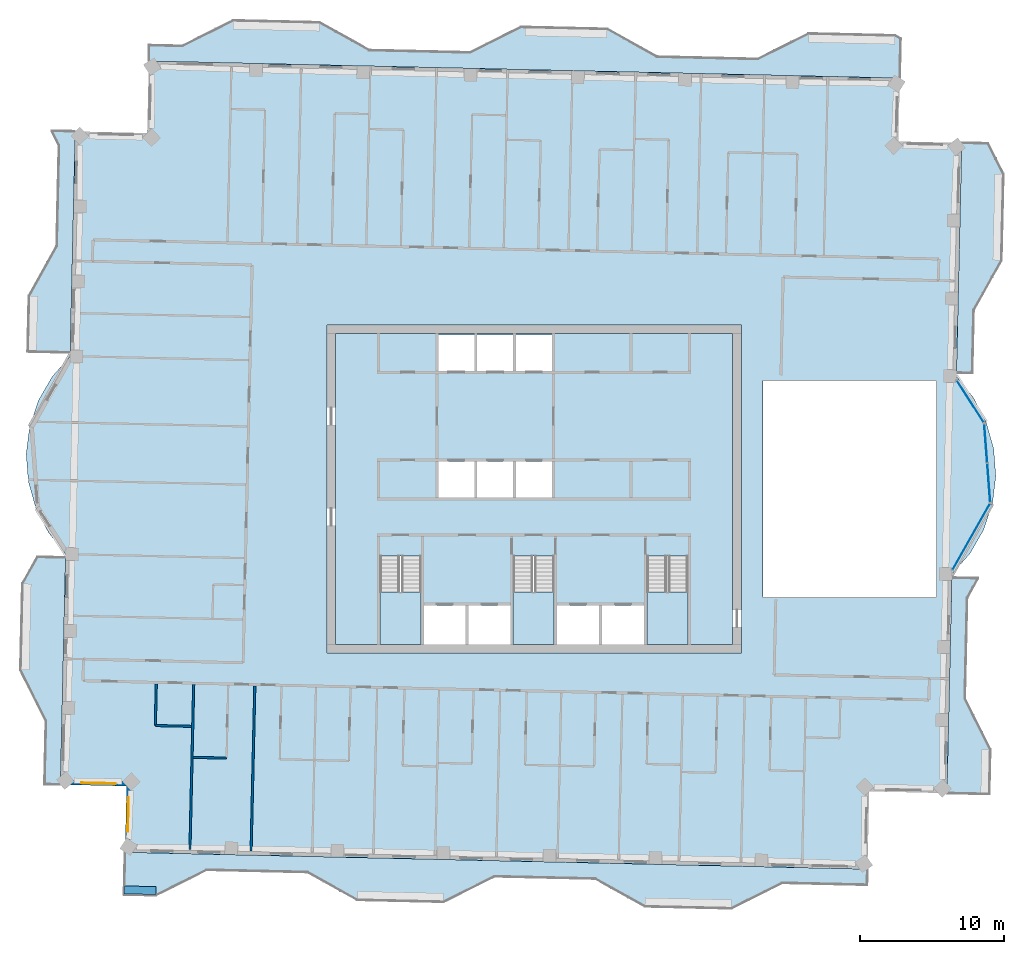
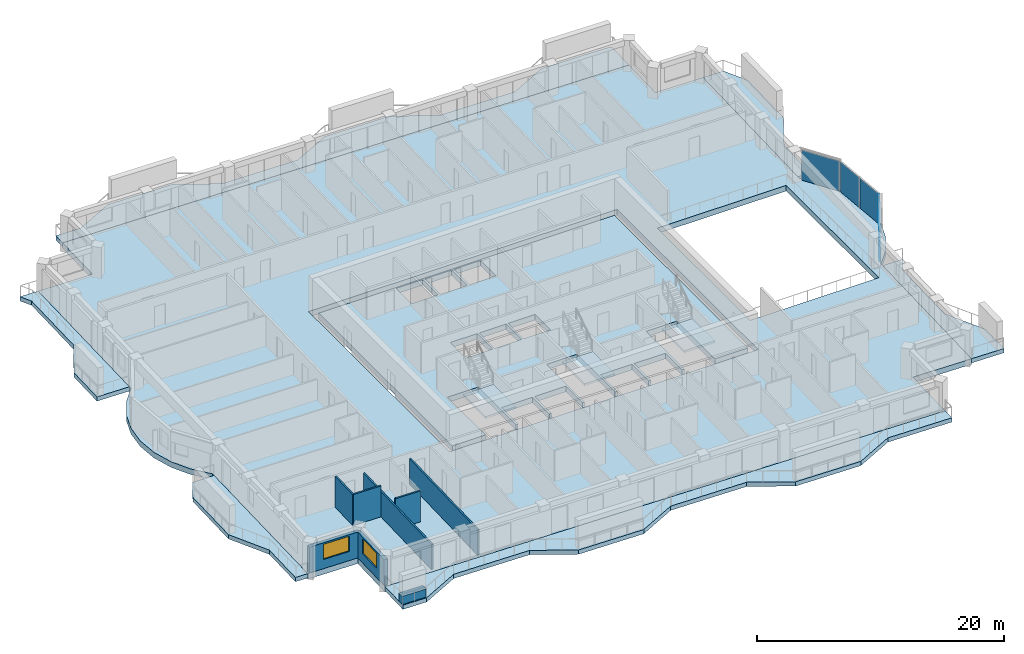
# One storey, part 3 of 15: 11 slabs, 8 walls, 4 plates, 2 windows, 2 openings, 6 elements without a shape of their own.
"""IFC4 building model written with IfcOpenShell, lengths in metres."""

from ifc_helpers import new_model, si_unit, direction, frame, frame_2d, origin, origin_2d, place, context, subcontext, project, spatial, polyline, rectangle, outline, extrude, material, layer, layer_set, type_object, element, fill, aggregate, save


model = new_model("IFC4")

# Units and contexts
model_context = context("Model", 3, precision=1e-05, world=origin(), true_north=direction((0.0, 1.0)))
body_context = subcontext(model_context, "Body", "Model", "MODEL_VIEW")
ifc_project = project(units=[si_unit("LENGTHUNIT", "METRE"), si_unit("AREAUNIT", "SQUARE_METRE"), si_unit("VOLUMEUNIT", "CUBIC_METRE"), si_unit("PLANEANGLEUNIT", "RADIAN"), si_unit("MASSUNIT", "GRAM", prefix="KILO")], contexts=[model_context])

# Site, building, storey
site_placement = place(None, origin())
site = spatial("IfcSite", under=ifc_project, at=site_placement, CompositionType="ELEMENT")
building_placement = place(site_placement, origin())
building = spatial("IfcBuilding", under=site, at=building_placement, Name="Mangrove Gate Tower", CompositionType="ELEMENT")
storey_placement = place(building_placement, frame((0.0, 0.0, 309.699951171875)))
storey = spatial("IfcBuildingStorey", under=building, at=storey_placement, Name="L79", CompositionType="ELEMENT", Elevation=309.699951171875)

# Curtain wall, plate
ifc_material_1 = material(Name="Aluminium and glass curtain wall", Category="aluminium")
curtain_wall_type = type_object("IfcCurtainWallType", Name="Atrium garden-court glazing wall", PredefinedType="NOTDEFINED", material=ifc_material_1)
curtain_wall_1_placement = place(storey_placement, origin())
curtain_wall_1 = element("IfcCurtainWall", 1, at=curtain_wall_1_placement, inside=storey, type_object=curtain_wall_type, Name="Atrium garden-court glazing E1f1", PredefinedType="NOTDEFINED")
ifc_material_2 = material(Name="Laminated low-e glass", Category="glass")
ifc_layer_1 = layer(ifc_material_2, 0.031982421875)
ifc_layer_set_1 = layer_set([ifc_layer_1], Name="Atrium garden-court glazing panel 32")
plate_type = type_object("IfcPlateType", Name="Atrium garden-court glazing panel 32", PredefinedType="CURTAIN_PANEL", material=ifc_layer_set_1)
plate_1_placement = place(storey_placement, frame((30.381103515625, -3.32861328125, 0.0), z_axis=(0.0, 0.0, 1.0), x_axis=(0.4925871539, 0.870263118725, 0.0)))
plate_1 = element("IfcPlate", 2, at=plate_1_placement, type_object=plate_type, Name="CWA panel 1.1", PredefinedType="CURTAIN_PANEL", context=body_context, shape_type="SweptSolid", body=[
    extrude(rectangle(XDim=5.258056640625, YDim=0.031982421875, at=origin_2d()), origin(), (0.0, 0.0, 1.0), 2.97998046875),
])
aggregate(curtain_wall_1, [plate_1])

# Curtain wall, plates
curtain_wall_2_placement = place(storey_placement, origin())
curtain_wall_2 = element("IfcCurtainWall", 3, at=curtain_wall_2_placement, inside=storey, type_object=curtain_wall_type, Name="Atrium garden-court glazing E1f2", PredefinedType="NOTDEFINED")
plate_2_placement = place(storey_placement, frame((31.601806640625, 0.427001953125, 0.0), z_axis=(0.0, 0.0, 1.0), x_axis=(-0.077023348212, 0.997029289354, 0.0)))
plate_2 = element("IfcPlate", 4, at=plate_2_placement, type_object=plate_type, Name="CWA panel 1.1", PredefinedType="CURTAIN_PANEL", context=body_context, shape_type="SweptSolid", body=[
    extrude(rectangle(XDim=2.681640625, YDim=0.031982421875, at=origin_2d()), origin(), (0.0, 0.0, 1.0), 2.97998046875),
])
plate_3_placement = place(storey_placement, frame((31.389892578125, 3.17041015625, 0.0), z_axis=(0.0, 0.0, 1.0), x_axis=(-0.077023348212, 0.997029289354, 0.0)))
plate_3 = element("IfcPlate", 5, at=plate_3_placement, type_object=plate_type, Name="CWA panel 2.1", PredefinedType="CURTAIN_PANEL", context=body_context, shape_type="SweptSolid", body=[
    extrude(rectangle(XDim=2.681640625, YDim=0.031982421875, at=origin_2d()), origin(), (0.0, 0.0, 1.0), 2.97998046875),
])
aggregate(curtain_wall_2, [plate_2, plate_3])

# Curtain wall, plate
curtain_wall_3_placement = place(storey_placement, origin())
curtain_wall_3 = element("IfcCurtainWall", 6, at=curtain_wall_3_placement, inside=storey, type_object=curtain_wall_type, Name="Atrium garden-court glazing E1f3", PredefinedType="NOTDEFINED")
plate_4_placement = place(storey_placement, frame((30.31689453125, 6.078369140625, 0.0), z_axis=(0.0, 0.0, 1.0), x_axis=(-0.540512472211, 0.841336001479, 0.0)))
plate_4 = element("IfcPlate", 7, at=plate_4_placement, type_object=plate_type, Name="CWA panel 1.1", PredefinedType="CURTAIN_PANEL", context=body_context, shape_type="SweptSolid", body=[
    extrude(rectangle(XDim=3.4287109375, YDim=0.031982421875, at=origin_2d()), origin(), (0.0, 0.0, 1.0), 2.97998046875),
])
aggregate(curtain_wall_3, [plate_4])

# Slabs
ifc_material_3 = material(Name="Porcelain tile")
ifc_layer_2 = layer(ifc_material_3, 0.02001953125, Name="Tile finish")
ifc_material_4 = material(Name="Cement sand screed")
ifc_layer_3 = layer(ifc_material_4, 0.0400390625, Name="Screed laid to falls")
ifc_material_5 = material(Name="Bituminous waterproofing membrane")
ifc_layer_4 = layer(ifc_material_5, 0.00390625, Name="Waterproofing")
ifc_material_6 = material(Name="Concrete C40/50", Category="concrete")
ifc_layer_5 = layer(ifc_material_6, 0.340087890625, Name="Balcony structural slab")
ifc_material_7 = material(Name="Limestone", Category="masonry")
ifc_layer_6 = layer(ifc_material_7, 0.01611328125, Name="Soffit lining")
ifc_layer_set_2 = layer_set([ifc_layer_2, ifc_layer_3, ifc_layer_4, ifc_layer_5, ifc_layer_6], Name="Balcony slab 420 C40/50")
slab_type_1 = type_object("IfcSlabType", Name="Balcony slab 420 C40/50", PredefinedType="FLOOR", material=ifc_layer_set_2)
slab_1_placement = place(storey_placement, frame((0.0, 0.0, -0.419921875)))
element("IfcSlab", 8, at=slab_1_placement, inside=storey, type_object=slab_type_1, Name="BALCONY L79 E0", PredefinedType="FLOOR", context=body_context, shape_type="SweptSolid", body=[
    extrude(outline(polyline([(31.679931640625, -21.2109375), (31.75, -18.112060546875), (29.97998046875, -14.571044921875), (30.138916015625, -7.572021484375), (30.89697265625, -6.215087890625), (29.030029296875, -6.172119140625), (28.9990234375, -7.547119140625), (28.840087890625, -14.544921875), (28.760986328125, -18.0439453125), (28.69091796875, -21.14306640625), (31.679931640625, -21.2109375)])), origin(), (0.0, 0.0, 1.0), 0.419921875),
])
slab_2_placement = place(storey_placement, frame((0.0, 0.0, -0.419921875)))
element("IfcSlab", 9, at=slab_2_placement, inside=storey, type_object=slab_type_1, Name="BALCONY L79 E1", PredefinedType="FLOOR", context=body_context, shape_type="SweptSolid", body=[
    extrude(outline(polyline([(30.492919921875, 8.049072265625), (30.593017578125, 12.422119140625), (32.52197265625, 15.8798828125), (32.657958984375, 21.8779296875), (31.595947265625, 24.0029296875), (29.716064453125, 24.044921875), (29.6689453125, 21.946044921875), (29.531982421875, 15.947021484375), (29.452880859375, 12.447998046875), (29.35400390625, 8.074951171875), (30.492919921875, 8.049072265625)])), origin(), (0.0, 0.0, 1.0), 0.419921875),
])
slab_3_placement = place(storey_placement, frame((0.0, 0.0, -0.419921875)))
element("IfcSlab", 10, at=slab_3_placement, inside=storey, type_object=slab_type_1, Name="BALCONY L79 N0", PredefinedType="FLOOR", context=body_context, shape_type="SweptSolid", body=[
    extrude(outline(polyline([(25.47998046875, 31.322021484375), (25.0849609375, 31.5419921875), (19.0869140625, 31.677978515625), (15.5458984375, 29.907958984375), (8.547119140625, 30.06689453125), (5.090087890625, 31.99609375), (-0.907958984375, 32.132080078125), (-4.448974609375, 30.363037109375), (-11.447998046875, 30.52099609375), (-14.905029296875, 32.449951171875), (-20.903076171875, 32.5859375), (-24.444091796875, 30.81689453125), (-26.743896484375, 30.867919921875), (-26.76904296875, 29.72802734375), (25.4169921875, 28.5439453125), (25.47998046875, 31.322021484375)])), origin(), (0.0, 0.0, 1.0), 0.419921875),
])
slab_4_placement = place(storey_placement, frame((0.0, 0.0, -0.419921875)))
element("IfcSlab", 11, at=slab_4_placement, inside=storey, type_object=slab_type_1, Name="BALCONY L79 W0", PredefinedType="FLOOR", context=body_context, shape_type="SweptSolid", body=[
    extrude(outline(polyline([(-33.550048828125, 24.881103515625), (-33.0439453125, 23.868896484375), (-33.202880859375, 16.87109375), (-35.132080078125, 13.4140625), (-35.219970703125, 9.5400390625), (-32.22998046875, 9.471923828125), (-32.14306640625, 13.345947265625), (-32.06298828125, 16.844970703125), (-31.904052734375, 23.843017578125), (-31.882080078125, 24.843017578125), (-33.550048828125, 24.881103515625)])), origin(), (0.0, 0.0, 1.0), 0.419921875),
])
slab_5_placement = place(storey_placement, frame((0.0, 0.0, -0.419921875)))
element("IfcSlab", 12, at=slab_5_placement, inside=storey, type_object=slab_type_1, Name="BALCONY L79 W1", PredefinedType="FLOOR", context=body_context, shape_type="SweptSolid", body=[
    extrude(outline(polyline([(-34.552001953125, -4.72900390625), (-35.5849609375, -6.5810546875), (-35.721923828125, -12.580078125), (-33.950927734375, -16.12109375), (-34.051025390625, -20.51904296875), (-32.912109375, -20.544921875), (-32.81201171875, -16.14599609375), (-32.73193359375, -12.64697265625), (-32.595947265625, -6.64892578125), (-32.553955078125, -4.77490234375), (-34.552001953125, -4.72900390625)])), origin(), (0.0, 0.0, 1.0), 0.419921875),
])
slab_6_placement = place(storey_placement, frame((0.0, 0.0, -0.419921875)))
element("IfcSlab", 13, at=slab_6_placement, inside=storey, type_object=slab_type_1, Name="BALCONY L79 S0", PredefinedType="FLOOR", context=body_context, shape_type="SweptSolid", body=[
    extrude(outline(polyline([(-28.4169921875, -25.2490234375), (-28.485107421875, -28.238037109375), (-26.285888671875, -28.2880859375), (-22.743896484375, -26.51806640625), (-15.74609375, -26.676025390625), (-12.2890625, -28.60498046875), (-6.291015625, -28.740966796875), (-2.75, -26.970947265625), (-2.64990234375, -26.97412109375), (4.2490234375, -27.1298828125), (7.7060546875, -29.05908203125), (13.7041015625, -29.195068359375), (17.2451171875, -27.426025390625), (23.14404296875, -27.55908203125), (23.169921875, -26.4189453125), (4.27392578125, -25.989990234375), (-2.72412109375, -25.83203125), (-26.218017578125, -25.298095703125), (-28.4169921875, -25.2490234375)])), origin(), (0.0, 0.0, 1.0), 0.419921875),
])
ifc_material_8 = material(Name="Concrete C40/50", Category="concrete")
ifc_layer_7 = layer(ifc_material_8, 0.550048828125)
ifc_layer_set_3 = layer_set([ifc_layer_7], Name="Core floor slab 550 C40/50")
slab_type_2 = type_object("IfcSlabType", Name="Core floor slab 550 C40/50", PredefinedType="FLOOR", material=ifc_layer_set_3)
slab_7_placement = place(storey_placement, frame((0.0, 0.0, -0.550048828125)))
element("IfcSlab", 14, at=slab_7_placement, inside=storey, type_object=slab_type_2, Name="SLAB-L79-CORE-1", PredefinedType="FLOOR", context=body_context, shape_type="SweptSolid", body=[
    extrude(outline(polyline([(-13.800048828125, -10.800048828125), (-13.800048828125, 10.800048828125), (13.800048828125, 10.800048828125), (13.800048828125, -10.800048828125), (10.699951171875, -10.800048828125), (10.699951171875, -4.653076171875), (7.85009765625, -4.653076171875), (7.85009765625, -10.800048828125), (7.64990234375, -10.800048828125), (7.64990234375, -8.10009765625), (4.72509765625, -8.10009765625), (4.72509765625, -10.800048828125), (4.52490234375, -10.800048828125), (4.52490234375, -8.10009765625), (1.60009765625, -8.10009765625), (1.60009765625, -10.800048828125), (1.39990234375, -10.800048828125), (1.39990234375, -4.653076171875), (-1.449951171875, -4.653076171875), (-1.449951171875, -10.800048828125), (-1.64990234375, -10.800048828125), (-1.64990234375, -8.10009765625), (-4.550048828125, -8.10009765625), (-4.550048828125, -10.800048828125), (-4.75, -10.800048828125), (-4.75, -8.10009765625), (-7.64990234375, -8.10009765625), (-7.64990234375, -10.800048828125), (-7.85009765625, -10.800048828125), (-7.85009765625, -4.653076171875), (-10.699951171875, -4.653076171875), (-10.699951171875, -10.800048828125), (-13.800048828125, -10.800048828125)]), holes=[polyline([(-4.14990234375, 1.89990234375), (-6.64990234375, 1.89990234375), (-6.64990234375, -0.60009765625), (-4.14990234375, -0.60009765625), (-4.14990234375, 1.89990234375)]), polyline([(-1.449951171875, -0.60009765625), (-1.449951171875, 1.89990234375), (-3.949951171875, 1.89990234375), (-3.949951171875, -0.60009765625), (-1.449951171875, -0.60009765625)]), polyline([(-4.14990234375, 8.199951171875), (-4.14990234375, 10.699951171875), (-6.64990234375, 10.699951171875), (-6.64990234375, 8.199951171875), (-4.14990234375, 8.199951171875)]), polyline([(-1.449951171875, 10.699951171875), (-3.949951171875, 10.699951171875), (-3.949951171875, 8.199951171875), (-1.449951171875, 8.199951171875), (-1.449951171875, 10.699951171875)]), polyline([(1.25, -0.60009765625), (1.25, 1.89990234375), (-1.25, 1.89990234375), (-1.25, -0.60009765625), (1.25, -0.60009765625)]), polyline([(1.25, 8.199951171875), (1.25, 10.699951171875), (-1.25, 10.699951171875), (-1.25, 8.199951171875), (1.25, 8.199951171875)])]), origin(), (0.0, 0.0, 1.0), 0.550048828125),
])

# Stair, slab
ifc_material_9 = material(Name="Concrete C40/50", Category="concrete")
stair_type = type_object("IfcStairType", Name="Core stair 1350", PredefinedType="HALF_TURN_STAIR", material=ifc_material_9)
stair_1_placement = place(storey_placement, origin())
stair_1 = element("IfcStair", 15, at=stair_1_placement, inside=storey, type_object=stair_type, Name="L79 Stair 1", PredefinedType="HALF_TURN_STAIR")
ifc_material_10 = material(Name="Concrete C40/50", Category="concrete")
ifc_layer_8 = layer(ifc_material_10, 0.199951171875)
ifc_layer_set_4 = layer_set([ifc_layer_8], Name="Core stair landing 200")
slab_type_3 = type_object("IfcSlabType", Name="Core stair landing 200", PredefinedType="LANDING", material=ifc_layer_set_4)
slab_8_placement = place(storey_placement, frame((0.0, 0.0, 1.60009765625)))
slab_8 = element("IfcSlab", 16, at=slab_8_placement, type_object=slab_type_3, Name="ST1 landing 1", PredefinedType="LANDING", context=body_context, shape_type="SweptSolid", body=[
    extrude(outline(polyline([(-10.699951171875, -7.169921875), (-10.699951171875, -10.800048828125), (-7.85009765625, -10.800048828125), (-7.85009765625, -7.169921875), (-10.699951171875, -7.169921875)])), origin(), (0.0, 0.0, 1.0), 0.199951171875),
])
aggregate(stair_1, [slab_8])

stair_2_placement = place(storey_placement, origin())
stair_2 = element("IfcStair", 17, at=stair_2_placement, inside=storey, type_object=stair_type, Name="L79 Stair 2", PredefinedType="HALF_TURN_STAIR")
slab_9_placement = place(storey_placement, frame((0.0, 0.0, 1.60009765625)))
slab_9 = element("IfcSlab", 18, at=slab_9_placement, type_object=slab_type_3, Name="ST2 landing 1", PredefinedType="LANDING", context=body_context, shape_type="SweptSolid", body=[
    extrude(outline(polyline([(-1.449951171875, -7.169921875), (-1.449951171875, -10.800048828125), (1.39990234375, -10.800048828125), (1.39990234375, -7.169921875), (-1.449951171875, -7.169921875)])), origin(), (0.0, 0.0, 1.0), 0.199951171875),
])
aggregate(stair_2, [slab_9])

stair_3_placement = place(storey_placement, origin())
stair_3 = element("IfcStair", 19, at=stair_3_placement, inside=storey, type_object=stair_type, Name="L79 Stair 3", PredefinedType="HALF_TURN_STAIR")
slab_10_placement = place(storey_placement, frame((0.0, 0.0, 1.60009765625)))
slab_10 = element("IfcSlab", 20, at=slab_10_placement, type_object=slab_type_3, Name="ST3 landing 1", PredefinedType="LANDING", context=body_context, shape_type="SweptSolid", body=[
    extrude(outline(polyline([(7.85009765625, -7.169921875), (7.85009765625, -10.800048828125), (10.699951171875, -10.800048828125), (10.699951171875, -7.169921875), (7.85009765625, -7.169921875)])), origin(), (0.0, 0.0, 1.0), 0.199951171875),
])
aggregate(stair_3, [slab_10])

# Slab
ifc_material_11 = material(Name="Concrete C40/50", Category="concrete")
ifc_layer_9 = layer(ifc_material_11, 0.550048828125)
ifc_layer_set_5 = layer_set([ifc_layer_9], Name="Floor slab 550 C40/50")
slab_type_4 = type_object("IfcSlabType", Name="Floor slab 550 C40/50", PredefinedType="FLOOR", material=ifc_layer_set_5)
slab_11_placement = place(storey_placement, frame((0.0, 0.0, -0.550048828125)))
element("IfcSlab", 21, at=slab_11_placement, inside=storey, type_object=slab_type_4, Name="Floor slab L79", PredefinedType="FLOOR", context=body_context, shape_type="SweptSolid", body=[
    extrude(outline(polyline([(-28.417236328125, -25.24853515625), (23.169677734375, -26.419189453125), (23.2919921875, -21.0205078125), (28.690673828125, -21.14306640625), (29.0361328125, -5.92236328125), (30.299072265625, -4.48583984375), (31.252197265625, -2.827392578125), (31.857666015625, -1.012939453125), (32.09130859375, 0.885498046875), (31.944091796875, 2.79248046875), (31.42138671875, 4.632568359375), (30.544677734375, 6.33251953125), (29.34814453125, 7.82470703125), (29.716064453125, 24.045166015625), (25.3173828125, 24.14501953125), (25.4169921875, 28.5439453125), (-26.76953125, 29.728271484375), (-26.8828125, 24.7294921875), (-31.881591796875, 24.843017578125), (-32.236083984375, 9.222412109375), (-33.4990234375, 7.785888671875), (-34.4521484375, 6.12744140625), (-35.0576171875, 4.31298828125), (-35.291259765625, 2.41455078125), (-35.14404296875, 0.507568359375), (-34.62158203125, -1.33251953125), (-33.74462890625, -3.032470703125), (-32.548095703125, -4.524658203125), (-32.91162109375, -20.54541015625), (-28.312744140625, -20.649658203125), (-28.417236328125, -25.24853515625)]), holes=[polyline([(15.89990234375, 7.5), (27.922119140625, 7.5), (27.922119140625, -7.5), (15.89990234375, -7.5), (15.89990234375, 7.5)]), polyline([(-14.39990234375, -11.39990234375), (-14.39990234375, 11.39990234375), (14.39990234375, 11.39990234375), (14.39990234375, -11.39990234375), (-14.39990234375, -11.39990234375)])]), origin(), (0.0, 0.0, 1.0), 0.550048828125),
])

# Wall, opening, window
ifc_layer_10 = layer(ifc_material_7, 0.0400390625, Name="Limestone cladding")
ifc_material_12 = material(Name="Ventilated air gap")
ifc_layer_11 = layer(ifc_material_12, 0.0400390625, Name="Ventilated cavity")
ifc_material_13 = material(Name="Mineral wool insulation")
ifc_layer_12 = layer(ifc_material_13, 0.06005859375, Name="Insulation")
ifc_material_14 = material(Name="Breather membrane")
ifc_layer_13 = layer(ifc_material_14, 0.001953125, Name="Breather membrane")
ifc_material_15 = material(Name="Concrete C20/25 blockwork", Category="masonry")
ifc_layer_14 = layer(ifc_material_15, 0.14990234375, Name="Blockwork backing wall")
ifc_material_16 = material(Name="Gypsum plaster")
ifc_layer_15 = layer(ifc_material_16, 0.008056640625, Name="Internal plaster")
ifc_layer_set_6 = layer_set([ifc_layer_10, ifc_layer_11, ifc_layer_12, ifc_layer_13, ifc_layer_14, ifc_layer_15], Name="External wall 300 limestone cladding")
wall_type_1 = type_object("IfcWallType", Name="External wall 300 limestone cladding", PredefinedType="SOLIDWALL", material=ifc_layer_set_6)
wall_1_placement = place(storey_placement, frame((-32.758056640625, -20.39892578125, 0.0), z_axis=(0.0, 0.0, 1.0), x_axis=(0.999744404568, -0.02260808559, 0.0)))
wall_1 = element("IfcWall", 22, at=wall_1_placement, inside=storey, type_object=wall_type_1, Name="WALL-L79-S11", PredefinedType="SOLIDWALL", context=body_context, shape_type="SweptSolid", body=[
    extrude(rectangle(XDim=4.600341796875, YDim=0.300048828125, at=frame_2d((2.30029296875, 0.0))), origin(), (0.0, 0.0, 1.0), 2.550048828125),
])
opening_1_placement = place(wall_1_placement, frame((1.278076171875, 0.0, 0.89990234375)))
opening_1 = element("IfcOpeningElement", 23, at=opening_1_placement, cuts=wall_1, Name="Opening W2", PredefinedType="OPENING", context=body_context, shape_type="SweptSolid", body=[
    extrude(rectangle(XDim=2.39990234375, YDim=1.5, at=frame_2d((1.199951171875, 0.75))), frame((0.0, 0.159912109375, 0.0), z_axis=(0.0, -1.0, 0.0), x_axis=(1.0, 0.0, 0.0)), (0.0, 0.0, 1.0), 0.320068359375),
])
ifc_material_17 = material(Name="Aluminium frame with double-glazed low-e glass", Category="aluminium")
window_type = type_object("IfcWindowType", Name="Corner room window 2400x1500", PartitioningType="DOUBLE_PANEL_VERTICAL", PredefinedType="WINDOW", material=ifc_material_17)
window_1_placement = place(opening_1_placement, origin())
window_1 = element("IfcWindow", 24, at=window_1_placement, inside=storey, type_object=window_type, Name="WIN-L79-S11-1", OverallHeight=1.5, OverallWidth=2.39990234375, PartitioningType="DOUBLE_PANEL_VERTICAL", PredefinedType="WINDOW", context=body_context, shape_type="SweptSolid", body=[
    extrude(rectangle(XDim=2.39990234375, YDim=1.5, at=frame_2d((1.199951171875, 0.75))), frame((0.0, 0.030029296875, 0.0), z_axis=(0.0, -1.0, 0.0), x_axis=(1.0, 0.0, 0.0)), (0.0, 0.0, 1.0), 0.06005859375),
])
fill(opening_1, window_1)

wall_2_placement = place(storey_placement, frame((-28.158935546875, -20.5029296875, 0.0), z_axis=(0.0, 0.0, 1.0), x_axis=(-0.022820258049, -0.999739584003, 0.0)))
wall_2 = element("IfcWall", 25, at=wall_2_placement, inside=storey, type_object=wall_type_1, Name="WALL-L79-W12", PredefinedType="SOLIDWALL", context=body_context, shape_type="SweptSolid", body=[
    extrude(rectangle(XDim=4.600341796875, YDim=0.300048828125, at=frame_2d((2.30029296875, 0.0))), origin(), (0.0, 0.0, 1.0), 2.550048828125),
])
opening_2_placement = place(wall_2_placement, frame((0.908935546875, 0.0, 0.89990234375)))
opening_2 = element("IfcOpeningElement", 26, at=opening_2_placement, cuts=wall_2, Name="Opening W2", PredefinedType="OPENING", context=body_context, shape_type="SweptSolid", body=[
    extrude(rectangle(XDim=2.39990234375, YDim=1.5, at=frame_2d((1.199951171875, 0.75))), frame((0.0, 0.159912109375, 0.0), z_axis=(0.0, -1.0, 0.0), x_axis=(1.0, 0.0, 0.0)), (0.0, 0.0, 1.0), 0.320068359375),
])
window_2_placement = place(opening_2_placement, origin())
window_2 = element("IfcWindow", 27, at=window_2_placement, inside=storey, type_object=window_type, Name="WIN-L79-W12-1", OverallHeight=1.5, OverallWidth=2.39990234375, PartitioningType="DOUBLE_PANEL_VERTICAL", PredefinedType="WINDOW", context=body_context, shape_type="SweptSolid", body=[
    extrude(rectangle(XDim=2.39990234375, YDim=1.5, at=frame_2d((1.199951171875, 0.75))), frame((0.0, 0.030029296875, 0.0), z_axis=(0.0, -1.0, 0.0), x_axis=(1.0, 0.0, 0.0)), (0.0, 0.0, 1.0), 0.06005859375),
])
fill(opening_2, window_2)

# Walls
ifc_material_18 = material(Name="Gypsum board on steel stud, EI 60", Category="steel")
ifc_layer_16 = layer(ifc_material_18, 0.14990234375)
ifc_layer_set_7 = layer_set([ifc_layer_16], Name="Party wall 150 EI 60")
wall_type_2 = type_object("IfcWallType", Name="Party wall 150 EI 60", PredefinedType="PARTITIONING", material=ifc_layer_set_7)
for number, where, z_axis, x_axis, name in (
    (28, (-23.912109375, -25.051025390625, 0.0), (0.0, 0.0, 1.0), (0.022708327922, 0.999742132674, 0.0), "WALL-L79-001"),
    (29, (-19.6630859375, -25.14697265625, 0.0), (0.0, 0.0, 1.0), (0.022708327922, 0.999742132674, 0.0), "WALL-L79-002"),
):
    element("IfcWall", number, at=place(storey_placement, frame(where, z_axis=z_axis, x_axis=x_axis)), inside=storey, type_object=wall_type_2, Name=name, PredefinedType="PARTITIONING", context=body_context, shape_type="SweptSolid", body=[
        extrude(rectangle(XDim=11.449951171875, YDim=0.14990234375, at=frame_2d((5.72509765625, 0.0))), origin(), (0.0, 0.0, 1.0), 2.5),
    ])
wall_3_placement = place(storey_placement, frame((-23.69091796875, -18.654052734375, 0.0), z_axis=(0.0, 0.0, 1.0), x_axis=(0.999740260747, -0.02279059109, 0.0)))
element("IfcWall", 30, at=wall_3_placement, inside=storey, type_object=wall_type_2, Name="WALL-L79-016", PredefinedType="PARTITIONING", context=body_context, shape_type="SweptSolid", body=[
    extrude(rectangle(XDim=2.324462890625, YDim=0.14990234375, at=frame_2d((1.162109375, 0.0))), origin(), (0.0, 0.0, 1.0), 3.050048828125),
])
wall_4_placement = place(storey_placement, frame((-26.31689453125, -16.444091796875, 0.0), z_axis=(0.0, 0.0, 1.0), x_axis=(0.9997461113, -0.022532486354, 0.0)))
element("IfcWall", 31, at=wall_4_placement, inside=storey, type_object=wall_type_2, Name="WALL-L79-030", PredefinedType="PARTITIONING", context=body_context, shape_type="SweptSolid", body=[
    extrude(rectangle(XDim=2.524658203125, YDim=0.14990234375, at=frame_2d((1.26220703125, 0.0))), origin(), (0.0, 0.0, 1.0), 3.050048828125),
])
wall_5_placement = place(storey_placement, frame((-26.31689453125, -16.444091796875, 0.0), z_axis=(0.0, 0.0, 1.0), x_axis=(0.022730967319, 0.999741618182, 0.0)))
element("IfcWall", 32, at=wall_5_placement, inside=storey, type_object=wall_type_2, Name="WALL-L79-031", PredefinedType="PARTITIONING", context=body_context, shape_type="SweptSolid", body=[
    extrude(rectangle(XDim=2.89990234375, YDim=0.14990234375, at=frame_2d((1.449951171875, 0.0))), origin(), (0.0, 0.0, 1.0), 3.050048828125),
])
ifc_material_19 = material(Name="Concrete C32/40", Category="concrete")
ifc_layer_17 = layer(ifc_material_19, 0.199951171875, Name="Planter trough wall")
ifc_layer_18 = layer(ifc_material_5, 0.0048828125, Name="Waterproofing")
ifc_material_20 = material(Name="Drainage board and gravel")
ifc_layer_19 = layer(ifc_material_20, 0.044921875, Name="Drainage layer")
ifc_material_21 = material(Name="Planting soil")
ifc_layer_20 = layer(ifc_material_21, 0.300048828125, Name="Growing medium")
ifc_layer_set_8 = layer_set([ifc_layer_17, ifc_layer_18, ifc_layer_19, ifc_layer_20], Name="Planter wall 550 C32/40")
wall_type_3 = type_object("IfcWallType", Name="Planter wall 550 C32/40", PredefinedType="USERDEFINED", material=ifc_layer_set_8)
wall_6_placement = place(storey_placement, frame((-28.47705078125, -27.863037109375, 0.0), z_axis=(0.0, 0.0, 1.0), x_axis=(0.999741319789, -0.022744087289, 0.0)))
element("IfcWall", 33, at=wall_6_placement, inside=storey, type_object=wall_type_3, Name="PLANTER L79 S0.1", ObjectType="PLANTER", PredefinedType="USERDEFINED", context=body_context, shape_type="SweptSolid", body=[
    extrude(rectangle(XDim=2.200439453125, YDim=0.550048828125, at=frame_2d((1.10009765625, 0.0))), origin(), (0.0, 0.0, 1.0), 0.800048828125),
])

save(model, "model.ifc")
